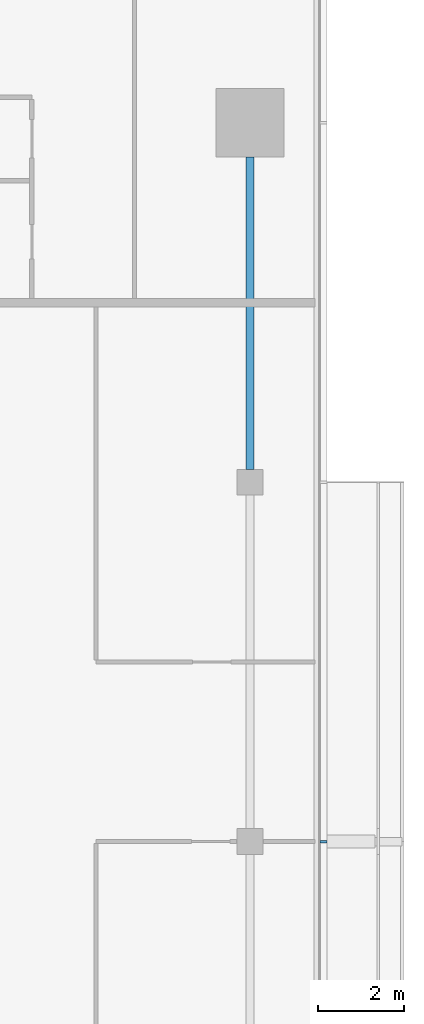
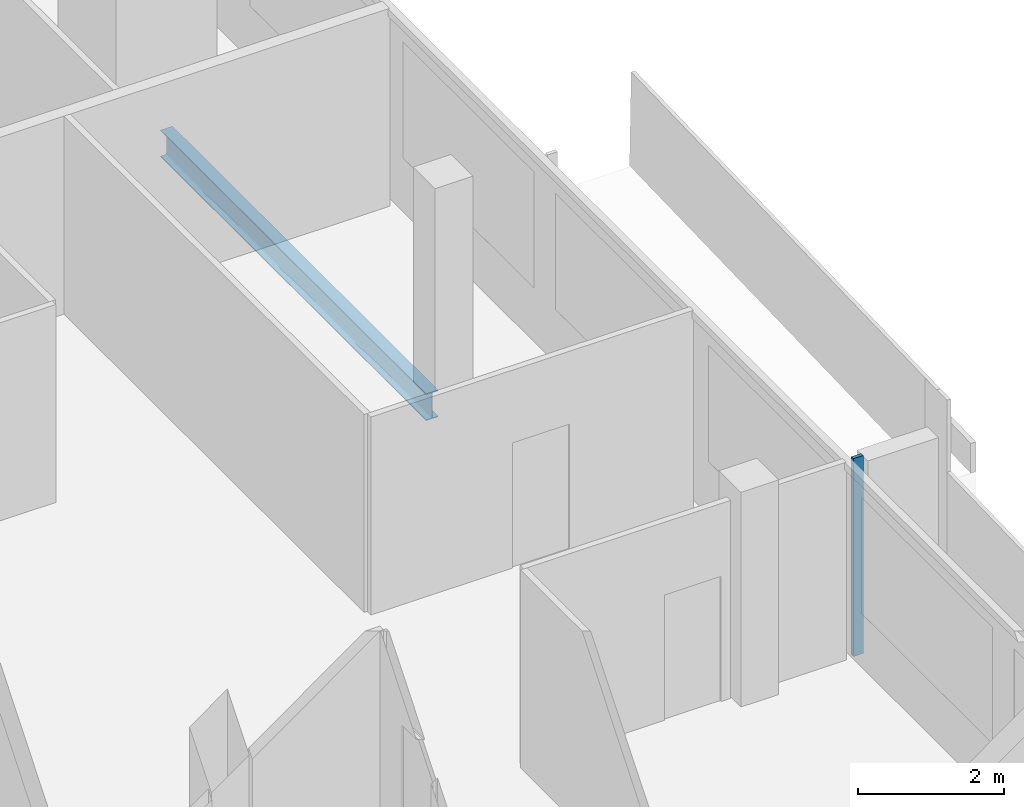
# One storey, part 11 of 28: 1 beam, 1 member, 1 element without a shape of its own.
"""IFC4 building model written with IfcOpenShell, lengths in metres."""

from ifc_helpers import new_model, si_unit, direction, frame, origin, origin_2d, place, context, subcontext, project, spatial, rectangle, i_section, extrude, material, material_profile, profile_set, type_object, element, aggregate, save


model = new_model("IFC4")

# Units and contexts
model_context = context("Model", 3, precision=1e-05, world=origin(), true_north=direction((0.0, 1.0)))
body_context = subcontext(model_context, "Body", "Model", "MODEL_VIEW")
ifc_project = project(units=[si_unit("LENGTHUNIT", "METRE"), si_unit("AREAUNIT", "SQUARE_METRE"), si_unit("VOLUMEUNIT", "CUBIC_METRE"), si_unit("PLANEANGLEUNIT", "RADIAN"), si_unit("MASSUNIT", "GRAM", prefix="KILO")], contexts=[model_context])

# Site, building, storey
site_placement = place(None, origin())
site = spatial("IfcSite", under=ifc_project, at=site_placement, CompositionType="ELEMENT")
building_placement = place(site_placement, origin())
building = spatial("IfcBuilding", under=site, at=building_placement, Name="Saffron Gate Tower", CompositionType="ELEMENT")
storey_placement = place(building_placement, frame((0.0, 0.0, 241.5)))
storey = spatial("IfcBuildingStorey", under=building, at=storey_placement, Name="L59", CompositionType="ELEMENT", Elevation=241.5)

# Beam
ifc_material_1 = material(Name="Structural steel S355", Category="steel")
ifc_material_profile_1 = material_profile(ifc_material_1, i_section(OverallWidth=0.18994140625, OverallDepth=0.449951171875, WebThickness=0.009521484375, FlangeThickness=0.0146484375, FilletRadius=0.02099609375, at=origin_2d()))
ifc_profile_set_1 = profile_set([ifc_material_profile_1], Name="Structural steel S355")
beam_type = type_object("IfcBeamType", Name="B7 IPE 450", PredefinedType="SPANDREL", material=ifc_profile_set_1)
beam_placement = place(storey_placement, frame((125.39990234375, 57.300048828125, -0.5048828125), z_axis=(0.0, 1.0, 0.0), x_axis=(-1.0, 0.0, 0.0)))
element("IfcBeam", 1, at=beam_placement, inside=storey, type_object=beam_type, Name="B7 SPANDREL BEAM", PredefinedType="SPANDREL", context=body_context, shape_type="SweptSolid", body=[
    extrude(i_section(OverallWidth=0.18994140625, OverallDepth=0.449951171875, WebThickness=0.009521484375, FlangeThickness=0.0146484375, FilletRadius=0.02099609375, at=origin_2d()), origin(), (0.0, 0.0, 1.0), 7.300048828125),
])

# Curtain wall, member
ifc_material_2 = material(Name="Aluminium, bronze anodised", Category="aluminium")
curtain_wall_type = type_object("IfcCurtainWallType", Name="CWS2 curtain wall side facades", PredefinedType="NOTDEFINED", material=ifc_material_2)
curtain_wall_placement = place(storey_placement, origin())
curtain_wall = element("IfcCurtainWall", 2, at=curtain_wall_placement, inside=storey, type_object=curtain_wall_type, Name="CWS2 run 4", PredefinedType="NOTDEFINED")
ifc_material_profile_2 = material_profile(ifc_material_2, rectangle(XDim=0.159912109375, YDim=0.06005859375, at=origin_2d()))
ifc_profile_set_2 = profile_set([ifc_material_profile_2], Name="Aluminium, bronze anodised")
member_type = type_object("IfcMemberType", Name="CWS2 mullion 60x160", PredefinedType="MULLION", material=ifc_profile_set_2)
member_placement = place(storey_placement, frame((127.1201171875, 48.60009765625, 0.0), z_axis=(0.0, 0.0, 1.0), x_axis=(-1.0, 0.0, 0.0)))
member = element("IfcMember", 3, at=member_placement, type_object=member_type, Name="CWS2 mullion 3", PredefinedType="MULLION", context=body_context, shape_type="SweptSolid", body=[
    extrude(rectangle(XDim=0.159912109375, YDim=0.06005859375, at=origin_2d()), origin(), (0.0, 0.0, 1.0), 3.320068359375),
])
aggregate(curtain_wall, [member])

save(model, "model.ifc")
